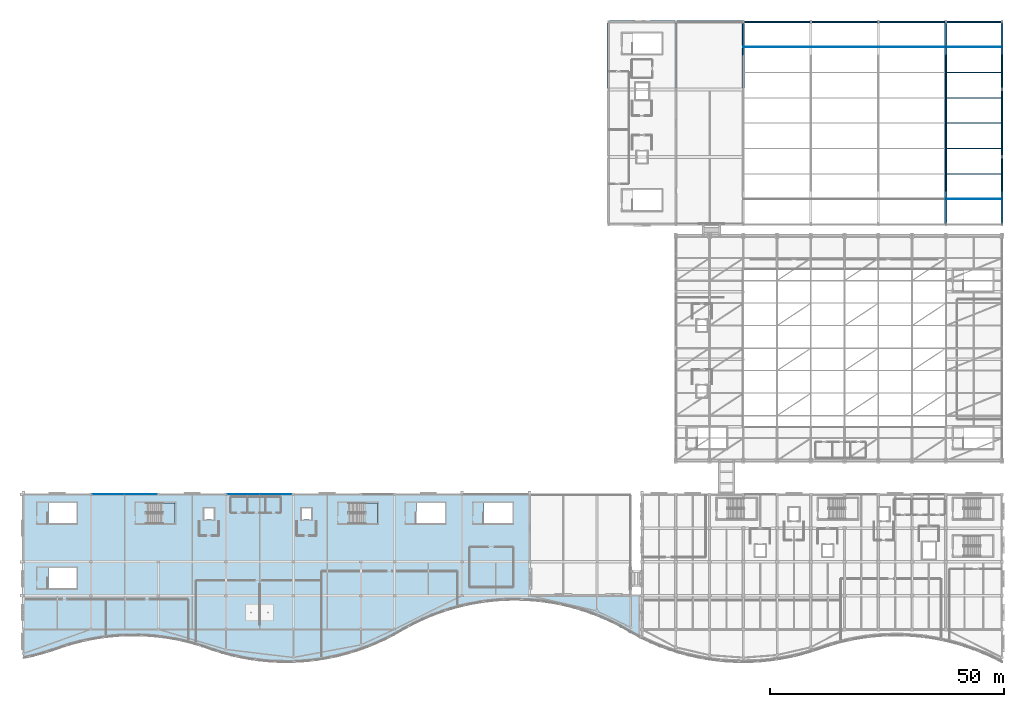
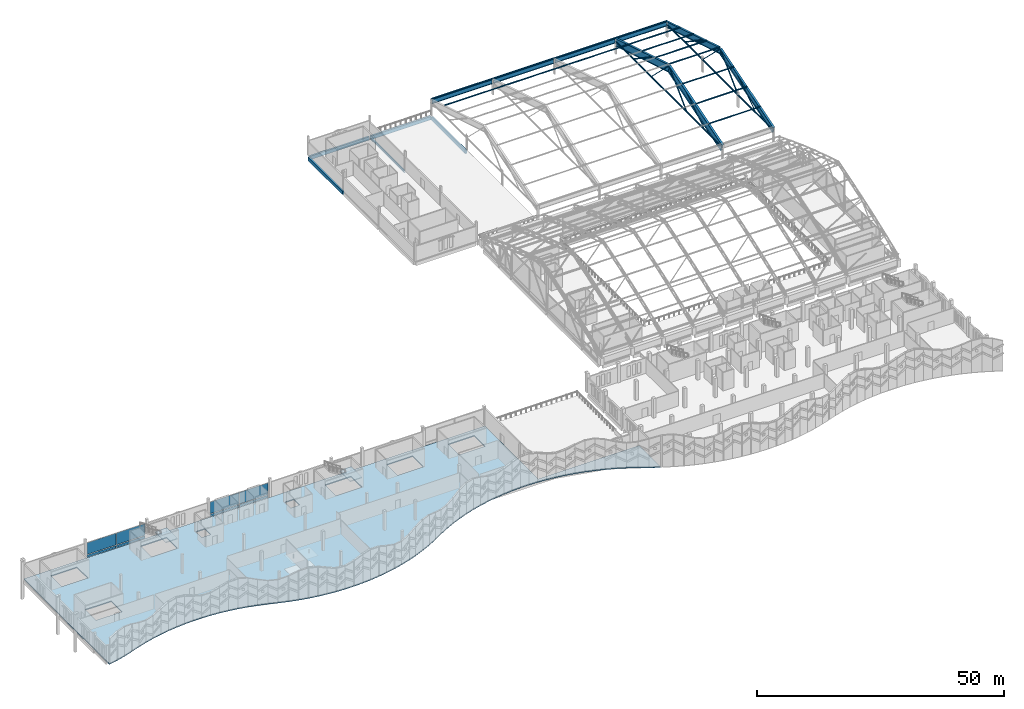
# One storey, part 62 of 116: 24 members, 13 beams, 8 plates, 3 slabs, 4 elements without a shape of their own.
"""IFC4 building model written with IfcOpenShell, lengths in metres."""

from ifc_helpers import new_model, si_unit, direction, frame, origin, origin_2d, place, context, subcontext, project, spatial, polyline, rectangle, hollow_circle, i_section, outline, extrude, material, layer, layer_set, material_profile, profile_set, type_object, element, aggregate, save


model = new_model("IFC4")

# Units and contexts
model_context = context("Model", 3, precision=1e-05, world=origin(), true_north=direction((0.0, 1.0)))
body_context = subcontext(model_context, "Body", "Model", "MODEL_VIEW")
ifc_project = project(units=[si_unit("LENGTHUNIT", "METRE"), si_unit("AREAUNIT", "SQUARE_METRE"), si_unit("VOLUMEUNIT", "CUBIC_METRE"), si_unit("PLANEANGLEUNIT", "RADIAN"), si_unit("MASSUNIT", "GRAM", prefix="KILO")], contexts=[model_context])

# Site, building, storey
site_placement = place(None, origin())
site = spatial("IfcSite", under=ifc_project, at=site_placement, CompositionType="ELEMENT")
building_placement = place(site_placement, origin())
building = spatial("IfcBuilding", under=site, at=building_placement, Name="Cendralis Lancet Convention Centre", CompositionType="ELEMENT")
storey_placement = place(building_placement, frame((0.0, 0.0, 15.0)))
storey = spatial("IfcBuildingStorey", under=building, at=storey_placement, Name="L03", CompositionType="ELEMENT", Elevation=15.0)

# Beams
ifc_material_1 = material(Name="Steel S355", Category="steel")
ifc_material_profile_1 = material_profile(ifc_material_1, i_section(OverallWidth=0.5, OverallDepth=1.800048828125, WebThickness=0.02197265625, FlangeThickness=0.035888671875, at=origin_2d()), Name="PG 1800x500")
ifc_profile_set_1 = profile_set([ifc_material_profile_1], Name="Steel S355")
beam_type_1 = type_object("IfcBeamType", Name="STR-BM-SG01", PredefinedType="BEAM", material=ifc_profile_set_1)
beam_1_placement = place(storey_placement, frame((196.800048828125, 93.60009765625, 2.89990234375), z_axis=(0.0, 0.956349808863, 0.2922243027), x_axis=(-1.0, 0.0, 0.0)))
element("IfcBeam", 1, at=beam_1_placement, inside=storey, type_object=beam_type_1, Name="Grand Ballroom Roof Girder SG01 S-04", PredefinedType="BEAM", context=body_context, shape_type="SweptSolid", body=[
    extrude(i_section(OverallWidth=0.5, OverallDepth=1.800048828125, WebThickness=0.02197265625, FlangeThickness=0.035888671875, at=origin_2d()), origin(), (0.0, 0.0, 1.0), 22.585693359375),
])
beam_2_placement = place(storey_placement, frame((196.800048828125, 115.199951171875, 9.5), z_axis=(0.0, 0.956350731927, -0.292221281811), x_axis=(-1.0, 0.0, 0.0)))
element("IfcBeam", 2, at=beam_2_placement, inside=storey, type_object=beam_type_1, Name="Grand Ballroom Roof Girder SG01 N-04", PredefinedType="BEAM", context=body_context, shape_type="SweptSolid", body=[
    extrude(i_section(OverallWidth=0.5, OverallDepth=1.800048828125, WebThickness=0.02197265625, FlangeThickness=0.035888671875, at=origin_2d()), origin(), (0.0, 0.0, 1.0), 22.5859375),
])
ifc_material_profile_2 = material_profile(ifc_material_1, i_section(OverallWidth=0.449951171875, OverallDepth=1.5, WebThickness=0.02001953125, FlangeThickness=0.035888671875, at=origin_2d()), Name="PG 1500x450")
ifc_profile_set_2 = profile_set([ifc_material_profile_2], Name="Steel S355")
beam_type_2 = type_object("IfcBeamType", Name="STR-BM-SG02", PredefinedType="BEAM", material=ifc_profile_set_2)
beam_3_placement = place(storey_placement, frame((208.800048828125, 93.60009765625, 3.050048828125), z_axis=(0.0, 0.95635282974, 0.292214416222), x_axis=(-1.0, 0.0, 0.0)))
element("IfcBeam", 3, at=beam_3_placement, inside=storey, type_object=beam_type_2, Name="Grand Ballroom Roof Girder SG02 S-05", PredefinedType="BEAM", context=body_context, shape_type="SweptSolid", body=[
    extrude(i_section(OverallWidth=0.449951171875, OverallDepth=1.5, WebThickness=0.02001953125, FlangeThickness=0.035888671875, at=origin_2d()), origin(), (0.0, 0.0, 1.0), 22.585693359375),
])
beam_4_placement = place(storey_placement, frame((208.800048828125, 115.199951171875, 9.64990234375), z_axis=(0.0, 0.956353752745, -0.292211395415), x_axis=(-1.0, 0.0, 0.0)))
element("IfcBeam", 4, at=beam_4_placement, inside=storey, type_object=beam_type_2, Name="Grand Ballroom Roof Girder SG02 N-05", PredefinedType="BEAM", context=body_context, shape_type="SweptSolid", body=[
    extrude(i_section(OverallWidth=0.449951171875, OverallDepth=1.5, WebThickness=0.02001953125, FlangeThickness=0.035888671875, at=origin_2d()), origin(), (0.0, 0.0, 1.0), 22.5859375),
])
ifc_material_profile_3 = material_profile(ifc_material_1, i_section(OverallWidth=0.3798828125, OverallDepth=1.10009765625, WebThickness=0.01611328125, FlangeThickness=0.030029296875, at=origin_2d()), Name="PG 1100x380")
ifc_profile_set_3 = profile_set([ifc_material_profile_3], Name="Steel S355")
beam_type_3 = type_object("IfcBeamType", Name="STR-BM-SG04", PredefinedType="BEAM", material=ifc_profile_set_3)
for number, where, z_axis, x_axis, name in (
    (5, (153.75, 136.800048828125, 3.25), (1.0, 0.0, 0.0), (0.0, 1.0, 0.0), "L03 Beam SG04 #1788"),
    (6, (168.14990234375, 136.800048828125, 3.25), (1.0, 0.0, 0.0), (0.0, 1.0, 0.0), "L03 Beam SG04 #1789"),
):
    element("IfcBeam", number, at=place(storey_placement, frame(where, z_axis=z_axis, x_axis=x_axis)), inside=storey, type_object=beam_type_3, Name=name, PredefinedType="BEAM", context=body_context, shape_type="SweptSolid", body=[
        extrude(i_section(OverallWidth=0.3798828125, OverallDepth=1.10009765625, WebThickness=0.01611328125, FlangeThickness=0.030029296875, at=origin_2d()), origin(), (0.0, 0.0, 1.0), 14.10009765625),
    ])
beam_5_placement = place(storey_placement, frame((182.550048828125, 136.800048828125, 3.25), z_axis=(1.0, 0.0, 0.0), x_axis=(0.0, 1.0, 0.0)))
element("IfcBeam", 7, at=beam_5_placement, inside=storey, type_object=beam_type_3, Name="L03 Beam SG04 #1790", PredefinedType="BEAM", context=body_context, shape_type="SweptSolid", body=[
    extrude(i_section(OverallWidth=0.3798828125, OverallDepth=1.10009765625, WebThickness=0.01611328125, FlangeThickness=0.030029296875, at=origin_2d()), origin(), (0.0, 0.0, 1.0), 14.099853515625),
])
beam_6_placement = place(storey_placement, frame((196.949951171875, 136.800048828125, 3.25), z_axis=(1.0, 0.0, 0.0), x_axis=(0.0, 1.0, 0.0)))
element("IfcBeam", 8, at=beam_6_placement, inside=storey, type_object=beam_type_3, Name="L03 Beam SG04 #1791", PredefinedType="BEAM", context=body_context, shape_type="SweptSolid", body=[
    extrude(i_section(OverallWidth=0.3798828125, OverallDepth=1.10009765625, WebThickness=0.01611328125, FlangeThickness=0.030029296875, at=origin_2d()), origin(), (0.0, 0.0, 1.0), 11.699951171875),
])
ifc_material_profile_4 = material_profile(ifc_material_1, i_section(OverallWidth=0.300048828125, OverallDepth=0.489990234375, WebThickness=0.011962890625, FlangeThickness=0.02294921875, FilletRadius=0.027099609375, at=origin_2d()), Name="HEA 500")
ifc_profile_set_4 = profile_set([ifc_material_profile_4], Name="Steel S355")
beam_type_4 = type_object("IfcBeamType", Name="STR-BM-SG12", PredefinedType="BEAM", material=ifc_profile_set_4)
beam_7_placement = place(storey_placement, frame((139.199951171875, 122.64990234375, -0.5048828125), z_axis=(0.0, 1.0, 0.0), x_axis=(-1.0, 0.0, 0.0)))
element("IfcBeam", 9, at=beam_7_placement, inside=storey, type_object=beam_type_4, Name="L03 Beam SG12 #1768", PredefinedType="BEAM", context=body_context, shape_type="SweptSolid", body=[
    extrude(i_section(OverallWidth=0.300048828125, OverallDepth=0.489990234375, WebThickness=0.011962890625, FlangeThickness=0.02294921875, FilletRadius=0.027099609375, at=origin_2d()), origin(), (0.0, 0.0, 1.0), 13.900146484375),
])

# Members
ifc_material_profile_5 = material_profile(ifc_material_1, i_section(OverallWidth=0.110107421875, OverallDepth=0.219970703125, WebThickness=0.005859375, FlangeThickness=0.00927734375, FilletRadius=0.011962890625, at=origin_2d()), Name="IPE 220")
ifc_profile_set_5 = profile_set([ifc_material_profile_5], Name="Steel S355")
member_type_1 = type_object("IfcMemberType", Name="STR-PR-PR03", PredefinedType="PURLIN", material=ifc_profile_set_5)
for number, where, z_axis, x_axis, name in (
    (10, (196.800048828125, 104.39990234375, 7.199951171875), (1.0, 0.0, 0.0), (0.0, 1.0, 0.0), "Ballroom Roof Purlin PR03 197-104.4"),
    (11, (196.800048828125, 109.800048828125, 8.85009765625), (1.0, 0.0, 0.0), (0.0, 1.0, 0.0), "Ballroom Roof Purlin PR03 197-109.8"),
    (12, (196.800048828125, 120.60009765625, 8.85009765625), (1.0, 0.0, 0.0), (0.0, 1.0, 0.0), "Ballroom Roof Purlin PR03 197-120.6"),
    (13, (196.800048828125, 126.0, 7.199951171875), (1.0, 0.0, 0.0), (0.0, 1.0, 0.0), "Ballroom Roof Purlin PR03 197-126.0"),
):
    element("IfcMember", number, at=place(storey_placement, frame(where, z_axis=z_axis, x_axis=x_axis)), inside=storey, type_object=member_type_1, Name=name, PredefinedType="PURLIN", context=body_context, shape_type="SweptSolid", body=[
        extrude(i_section(OverallWidth=0.110107421875, OverallDepth=0.219970703125, WebThickness=0.005859375, FlangeThickness=0.00927734375, FilletRadius=0.011962890625, at=origin_2d()), origin(), (0.0, 0.0, 1.0), 12.0),
    ])
ifc_material_profile_6 = material_profile(ifc_material_1, i_section(OverallWidth=0.10009765625, OverallDepth=0.199951171875, WebThickness=0.005615234375, FlangeThickness=0.008544921875, FilletRadius=0.011962890625, at=origin_2d()), Name="IPE 200")
ifc_profile_set_6 = profile_set([ifc_material_profile_6], Name="Steel S355")
member_type_2 = type_object("IfcMemberType", Name="STR-PR-PR05", PredefinedType="PURLIN", material=ifc_profile_set_6)
for number, where, z_axis, x_axis, name in (
    (14, (153.60009765625, 131.39990234375, 5.56005859375), (1.0, 0.0, 0.0), (0.0, 1.0, 0.0), "Ballroom Roof Purlin PR05 154-131.4"),
    (15, (168.0, 131.39990234375, 5.56005859375), (1.0, 0.0, 0.0), (0.0, 1.0, 0.0), "Ballroom Roof Purlin PR05 168-131.4"),
):
    element("IfcMember", number, at=place(storey_placement, frame(where, z_axis=z_axis, x_axis=x_axis)), inside=storey, type_object=member_type_2, Name=name, PredefinedType="PURLIN", context=body_context, shape_type="SweptSolid", body=[
        extrude(i_section(OverallWidth=0.10009765625, OverallDepth=0.199951171875, WebThickness=0.005615234375, FlangeThickness=0.008544921875, FilletRadius=0.011962890625, at=origin_2d()), origin(), (0.0, 0.0, 1.0), 14.39990234375),
    ])
member_1_placement = place(storey_placement, frame((182.39990234375, 131.39990234375, 5.56005859375), z_axis=(1.0, 0.0, 0.0), x_axis=(0.0, 1.0, 0.0)))
element("IfcMember", 16, at=member_1_placement, inside=storey, type_object=member_type_2, Name="Ballroom Roof Purlin PR05 182-131.4", PredefinedType="PURLIN", context=body_context, shape_type="SweptSolid", body=[
    extrude(i_section(OverallWidth=0.10009765625, OverallDepth=0.199951171875, WebThickness=0.005615234375, FlangeThickness=0.008544921875, FilletRadius=0.011962890625, at=origin_2d()), origin(), (0.0, 0.0, 1.0), 14.400146484375),
])
for number, where, z_axis, x_axis, name in (
    (17, (196.800048828125, 99.0, 5.56005859375), (1.0, 0.0, 0.0), (0.0, 1.0, 0.0), "Ballroom Roof Purlin PR05 197-99.0"),
    (18, (196.800048828125, 131.39990234375, 5.56005859375), (1.0, 0.0, 0.0), (0.0, 1.0, 0.0), "Ballroom Roof Purlin PR05 197-131.4"),
):
    element("IfcMember", number, at=place(storey_placement, frame(where, z_axis=z_axis, x_axis=x_axis)), inside=storey, type_object=member_type_2, Name=name, PredefinedType="PURLIN", context=body_context, shape_type="SweptSolid", body=[
        extrude(i_section(OverallWidth=0.10009765625, OverallDepth=0.199951171875, WebThickness=0.005615234375, FlangeThickness=0.008544921875, FilletRadius=0.011962890625, at=origin_2d()), origin(), (0.0, 0.0, 1.0), 12.0),
    ])
ifc_material_profile_7 = material_profile(ifc_material_1, i_section(OverallWidth=0.239990234375, OverallDepth=0.22998046875, WebThickness=0.007568359375, FlangeThickness=0.011962890625, FilletRadius=0.02099609375, at=origin_2d()), Name="HEA 240")
ifc_profile_set_7 = profile_set([ifc_material_profile_7], Name="Steel S355")
member_type_3 = type_object("IfcMemberType", Name="STR-PR-PR08", PredefinedType="PURLIN", material=ifc_profile_set_7)
for number, where, z_axis, x_axis, name in (
    (19, (153.60009765625, 136.800048828125, 3.89501953125), (1.0, 0.0, 0.0), (0.0, 1.0, 0.0), "Ballroom Roof Purlin PR08 154-136.8"),
    (20, (168.0, 136.800048828125, 3.89501953125), (1.0, 0.0, 0.0), (0.0, 1.0, 0.0), "Ballroom Roof Purlin PR08 168-136.8"),
):
    element("IfcMember", number, at=place(storey_placement, frame(where, z_axis=z_axis, x_axis=x_axis)), inside=storey, type_object=member_type_3, Name=name, PredefinedType="PURLIN", context=body_context, shape_type="SweptSolid", body=[
        extrude(i_section(OverallWidth=0.239990234375, OverallDepth=0.22998046875, WebThickness=0.007568359375, FlangeThickness=0.011962890625, FilletRadius=0.02099609375, at=origin_2d()), origin(), (0.0, 0.0, 1.0), 14.39990234375),
    ])
member_2_placement = place(storey_placement, frame((182.39990234375, 136.800048828125, 3.89501953125), z_axis=(1.0, 0.0, 0.0), x_axis=(0.0, 1.0, 0.0)))
element("IfcMember", 21, at=member_2_placement, inside=storey, type_object=member_type_3, Name="Ballroom Roof Purlin PR08 182-136.8", PredefinedType="PURLIN", context=body_context, shape_type="SweptSolid", body=[
    extrude(i_section(OverallWidth=0.239990234375, OverallDepth=0.22998046875, WebThickness=0.007568359375, FlangeThickness=0.011962890625, FilletRadius=0.02099609375, at=origin_2d()), origin(), (0.0, 0.0, 1.0), 14.400146484375),
])
for number, where, z_axis, x_axis, name in (
    (22, (196.800048828125, 115.199951171875, 10.4951171875), (1.0, 0.0, 0.0), (0.0, 1.0, 0.0), "Ballroom Roof Purlin PR08 197-115.2"),
    (23, (196.800048828125, 136.800048828125, 3.89501953125), (1.0, 0.0, 0.0), (0.0, 1.0, 0.0), "Ballroom Roof Purlin PR08 197-136.8"),
):
    element("IfcMember", number, at=place(storey_placement, frame(where, z_axis=z_axis, x_axis=x_axis)), inside=storey, type_object=member_type_3, Name=name, PredefinedType="PURLIN", context=body_context, shape_type="SweptSolid", body=[
        extrude(i_section(OverallWidth=0.239990234375, OverallDepth=0.22998046875, WebThickness=0.007568359375, FlangeThickness=0.011962890625, FilletRadius=0.02099609375, at=origin_2d()), origin(), (0.0, 0.0, 1.0), 12.0),
    ])

# Beams
ifc_material_2 = material(Name="Concrete G40 (C40/50)", Category="concrete")
ifc_material_profile_8 = material_profile(ifc_material_2, rectangle(XDim=0.39990234375, YDim=0.85009765625, at=origin_2d()), Name="RCB 400x850")
ifc_profile_set_8 = profile_set([ifc_material_profile_8], Name="Concrete G40 (C40/50)")
beam_type_5 = type_object("IfcBeamType", Name="STR-SP-SP02", PredefinedType="SPANDREL", material=ifc_profile_set_8)
beam_8_placement = place(storey_placement, frame((124.949951171875, 136.800048828125, -0.68505859375), z_axis=(1.0, 0.0, 0.0), x_axis=(0.0, 1.0, 0.0)))
element("IfcBeam", 24, at=beam_8_placement, inside=storey, type_object=beam_type_5, Name="L03 Beam SP02 #1761", PredefinedType="SPANDREL", context=body_context, shape_type="SweptSolid", body=[
    extrude(rectangle(XDim=0.39990234375, YDim=0.85009765625, at=origin_2d()), origin(), (0.0, 0.0, 1.0), 14.10009765625),
])
beam_9_placement = place(storey_placement, frame((139.35009765625, 136.800048828125, -0.68505859375), z_axis=(1.0, 0.0, 0.0), x_axis=(0.0, 1.0, 0.0)))
element("IfcBeam", 25, at=beam_9_placement, inside=storey, type_object=beam_type_5, Name="L03 Beam SP02 #1762", PredefinedType="SPANDREL", context=body_context, shape_type="SweptSolid", body=[
    extrude(rectangle(XDim=0.39990234375, YDim=0.85009765625, at=origin_2d()), origin(), (0.0, 0.0, 1.0), 14.099853515625),
])
beam_10_placement = place(storey_placement, frame((124.800048828125, 122.64990234375, -0.68505859375), z_axis=(0.0, 1.0, 0.0), x_axis=(-1.0, 0.0, 0.0)))
element("IfcBeam", 26, at=beam_10_placement, inside=storey, type_object=beam_type_5, Name="L03 Beam SP02 #1765", PredefinedType="SPANDREL", context=body_context, shape_type="SweptSolid", body=[
    extrude(rectangle(XDim=0.39990234375, YDim=0.85009765625, at=origin_2d()), origin(), (0.0, 0.0, 1.0), 13.900146484375),
])
beam_11_placement = place(storey_placement, frame((153.60009765625, 122.72509765625, -0.68505859375), z_axis=(0.0, 1.0, 0.0), x_axis=(-1.0, 0.0, 0.0)))
element("IfcBeam", 27, at=beam_11_placement, inside=storey, type_object=beam_type_5, Name="L03 Beam SP02 #1771", PredefinedType="SPANDREL", context=body_context, shape_type="SweptSolid", body=[
    extrude(rectangle(XDim=0.39990234375, YDim=0.85009765625, at=origin_2d()), origin(), (0.0, 0.0, 1.0), 13.75),
])

# Members
ifc_material_profile_9 = material_profile(ifc_material_1, hollow_circle(Radius=0.177734375, WallThickness=0.01611328125, at=origin_2d()), Name="CHS 355.6x16.0")
ifc_profile_set_9 = profile_set([ifc_material_profile_9], Name="Steel S355")
member_type_4 = type_object("IfcMemberType", Name="STR-TR-TC02", PredefinedType="CHORD", material=ifc_profile_set_9)
member_3_placement = place(storey_placement, frame((208.800048828125, 93.60009765625, 3.0), z_axis=(0.0, 1.0, 0.0), x_axis=(-1.0, 0.0, 0.0)))
element("IfcMember", 28, at=member_3_placement, inside=storey, type_object=member_type_4, Name="Ballroom Roof Tie Chord TC02 #05", PredefinedType="CHORD", context=body_context, shape_type="SweptSolid", body=[
    extrude(hollow_circle(Radius=0.177734375, WallThickness=0.01611328125, at=origin_2d()), origin(), (0.0, 0.0, 1.0), 43.199951171875),
])
ifc_material_profile_10 = material_profile(ifc_material_1, hollow_circle(Radius=0.177734375, WallThickness=0.01611328125, at=origin_2d()), Name="CHS 355.6x16.0")
ifc_profile_set_10 = profile_set([ifc_material_profile_10], Name="Steel S355")
member_type_5 = type_object("IfcMemberType", Name="STR-TR-TC02-INT", PredefinedType="CHORD", material=ifc_profile_set_10)
member_4_placement = place(storey_placement, frame((196.800048828125, 93.60009765625, 3.0), z_axis=(0.0, 1.0, 0.0), x_axis=(-1.0, 0.0, 0.0)))
element("IfcMember", 29, at=member_4_placement, inside=storey, type_object=member_type_5, Name="Ballroom Roof Tie Chord TC02 #04", PredefinedType="CHORD", context=body_context, shape_type="SweptSolid", body=[
    extrude(hollow_circle(Radius=0.177734375, WallThickness=0.01611328125, at=origin_2d()), origin(), (0.0, 0.0, 1.0), 43.199951171875),
])
ifc_material_profile_11 = material_profile(ifc_material_1, hollow_circle(Radius=0.096923828125, WallThickness=0.008056640625, at=origin_2d()), Name="CHS 193.7x8.0")
ifc_profile_set_11 = profile_set([ifc_material_profile_11], Name="Steel S355")
member_type_6 = type_object("IfcMemberType", Name="STR-TR-WD02", PredefinedType="BRACE", material=ifc_profile_set_11)
for number, where, z_axis, x_axis, name in (
    (30, (208.800048828125, 108.0, 3.0), (0.0, 0.71450563243, 0.69962968864), (-1.0, 0.0, 0.0), "Ballroom Gothic Arch Brace WD02 KL-05"),
    (31, (208.800048828125, 122.39990234375, 3.0), (0.0, -0.71450563243, 0.69962968864), (1.0, 0.0, 0.0), "Ballroom Gothic Arch Brace WD02 KR-05"),
):
    element("IfcMember", number, at=place(storey_placement, frame(where, z_axis=z_axis, x_axis=x_axis)), inside=storey, type_object=member_type_6, Name=name, PredefinedType="BRACE", context=body_context, shape_type="SweptSolid", body=[
        extrude(hollow_circle(Radius=0.096923828125, WallThickness=0.008056640625, at=origin_2d()), origin(), (0.0, 0.0, 1.0), 10.076904296875),
    ])
member_5_placement = place(storey_placement, frame((208.800048828125, 100.800048828125, 3.0), z_axis=(0.0, 0.829375494682, 0.558691586496), x_axis=(-1.0, 0.0, 0.0)))
element("IfcMember", 32, at=member_5_placement, inside=storey, type_object=member_type_6, Name="Ballroom Gothic Arch Brace WD02 OL-05", PredefinedType="BRACE", context=body_context, shape_type="SweptSolid", body=[
    extrude(hollow_circle(Radius=0.096923828125, WallThickness=0.008056640625, at=origin_2d()), origin(), (0.0, 0.0, 1.0), 8.68115234375),
])
member_6_placement = place(storey_placement, frame((208.800048828125, 129.60009765625, 3.0), z_axis=(0.0, -0.829384272585, 0.558678555512), x_axis=(1.0, 0.0, 0.0)))
element("IfcMember", 33, at=member_6_placement, inside=storey, type_object=member_type_6, Name="Ballroom Gothic Arch Brace WD02 OR-05", PredefinedType="BRACE", context=body_context, shape_type="SweptSolid", body=[
    extrude(hollow_circle(Radius=0.096923828125, WallThickness=0.008056640625, at=origin_2d()), origin(), (0.0, 0.0, 1.0), 8.681396484375),
])
ifc_material_profile_12 = material_profile(ifc_material_1, hollow_circle(Radius=0.096923828125, WallThickness=0.008056640625, at=origin_2d()), Name="CHS 193.7x8.0")
ifc_profile_set_12 = profile_set([ifc_material_profile_12], Name="Steel S355")
member_type_7 = type_object("IfcMemberType", Name="STR-TR-WD02-INT", PredefinedType="BRACE", material=ifc_profile_set_12)
for number, where, z_axis, x_axis, name in (
    (34, (196.800048828125, 108.0, 3.0), (0.0, 0.71450563243, 0.69962968864), (-1.0, 0.0, 0.0), "Ballroom Gothic Arch Brace WD02 KL-04"),
    (35, (196.800048828125, 122.39990234375, 3.0), (0.0, -0.71450563243, 0.69962968864), (1.0, 0.0, 0.0), "Ballroom Gothic Arch Brace WD02 KR-04"),
):
    element("IfcMember", number, at=place(storey_placement, frame(where, z_axis=z_axis, x_axis=x_axis)), inside=storey, type_object=member_type_7, Name=name, PredefinedType="BRACE", context=body_context, shape_type="SweptSolid", body=[
        extrude(hollow_circle(Radius=0.096923828125, WallThickness=0.008056640625, at=origin_2d()), origin(), (0.0, 0.0, 1.0), 10.076904296875),
    ])
member_7_placement = place(storey_placement, frame((196.800048828125, 100.800048828125, 3.0), z_axis=(0.0, 0.829375494682, 0.558691586496), x_axis=(-1.0, 0.0, 0.0)))
element("IfcMember", 36, at=member_7_placement, inside=storey, type_object=member_type_7, Name="Ballroom Gothic Arch Brace WD02 OL-04", PredefinedType="BRACE", context=body_context, shape_type="SweptSolid", body=[
    extrude(hollow_circle(Radius=0.096923828125, WallThickness=0.008056640625, at=origin_2d()), origin(), (0.0, 0.0, 1.0), 8.68115234375),
])
member_8_placement = place(storey_placement, frame((196.800048828125, 129.60009765625, 3.0), z_axis=(0.0, -0.829384272585, 0.558678555512), x_axis=(1.0, 0.0, 0.0)))
element("IfcMember", 37, at=member_8_placement, inside=storey, type_object=member_type_7, Name="Ballroom Gothic Arch Brace WD02 OR-04", PredefinedType="BRACE", context=body_context, shape_type="SweptSolid", body=[
    extrude(hollow_circle(Radius=0.096923828125, WallThickness=0.008056640625, at=origin_2d()), origin(), (0.0, 0.0, 1.0), 8.681396484375),
])

# Curtain wall, plates
ifc_material_3 = material(Name="Anodised bronze architectural aluminium", Category="aluminium")
curtain_wall_type = type_object("IfcCurtainWallType", Name="ARC-CW-CL02", PredefinedType="USERDEFINED", material=ifc_material_3)
curtain_wall_1_placement = place(storey_placement, origin())
curtain_wall_1 = element("IfcCurtainWall", 38, at=curtain_wall_1_placement, inside=storey, type_object=curtain_wall_type, Name="L03 Curtain Wall CW-CL2 #175", ObjectType="CURTAIN WALL", PredefinedType="USERDEFINED")
ifc_material_4 = material(Name="Double-glazed low-E solar-control glass", Category="glass")
ifc_layer_1 = layer(ifc_material_4, 0.035888671875, Name="Double-glazed low-E solar-control glass")
ifc_layer_set_1 = layer_set([ifc_layer_1], Name="Double-glazed low-E solar-control glass")
plate_type_1 = type_object("IfcPlateType", Name="ARC-PL-GL03", PredefinedType="CURTAIN_PANEL", material=ifc_layer_set_1)
plate_1_placement = place(storey_placement, frame((18.16259765625, 36.0, 0.820068359375), z_axis=(0.0, 0.0, 1.0), x_axis=(1.0, 0.0, 0.0)))
plate_1 = element("IfcPlate", 39, at=plate_1_placement, type_object=plate_type_1, Name="Vision Glass Panel CW2-CW-CL2-L03-175-PG0", PredefinedType="CURTAIN_PANEL", context=body_context, shape_type="SweptSolid", body=[
    extrude(rectangle(XDim=6.735107421875, YDim=0.035888671875, at=origin_2d()), origin(), (0.0, 0.0, 1.0), 2.89501953125),
])
plate_2_placement = place(storey_placement, frame((25.03759765625, 36.0, 0.820068359375), z_axis=(0.0, 0.0, 1.0), x_axis=(1.0, 0.0, 0.0)))
plate_2 = element("IfcPlate", 40, at=plate_2_placement, type_object=plate_type_1, Name="Vision Glass Panel CW2-CW-CL2-L03-175-PG1", PredefinedType="CURTAIN_PANEL", context=body_context, shape_type="SweptSolid", body=[
    extrude(rectangle(XDim=6.735107421875, YDim=0.035888671875, at=origin_2d()), origin(), (0.0, 0.0, 1.0), 2.89501953125),
])

curtain_wall_2_placement = place(storey_placement, origin())
curtain_wall_2 = element("IfcCurtainWall", 41, at=curtain_wall_2_placement, inside=storey, type_object=curtain_wall_type, Name="L03 Curtain Wall CW-CL2 #176", ObjectType="CURTAIN WALL", PredefinedType="USERDEFINED")
plate_3_placement = place(storey_placement, frame((46.96240234375, 36.0, 0.820068359375), z_axis=(0.0, 0.0, 1.0), x_axis=(1.0, 0.0, 0.0)))
plate_3 = element("IfcPlate", 42, at=plate_3_placement, type_object=plate_type_1, Name="Vision Glass Panel CW2-CW-CL2-L03-176-PG0", PredefinedType="CURTAIN_PANEL", context=body_context, shape_type="SweptSolid", body=[
    extrude(rectangle(XDim=6.735107421875, YDim=0.035888671875, at=origin_2d()), origin(), (0.0, 0.0, 1.0), 2.89501953125),
])
plate_4_placement = place(storey_placement, frame((53.83740234375, 36.0, 0.820068359375), z_axis=(0.0, 0.0, 1.0), x_axis=(1.0, 0.0, 0.0)))
plate_4 = element("IfcPlate", 43, at=plate_4_placement, type_object=plate_type_1, Name="Vision Glass Panel CW2-CW-CL2-L03-176-PG1", PredefinedType="CURTAIN_PANEL", context=body_context, shape_type="SweptSolid", body=[
    extrude(rectangle(XDim=6.735107421875, YDim=0.035888671875, at=origin_2d()), origin(), (0.0, 0.0, 1.0), 2.89501953125),
])

# Plate
ifc_material_5 = material(Name="Insulated ceramic-fritted spandrel glass", Category="glass")
ifc_layer_2 = layer(ifc_material_5, 0.044921875, Name="Insulated ceramic-fritted spandrel glass")
ifc_layer_set_2 = layer_set([ifc_layer_2], Name="Insulated ceramic-fritted spandrel glass")
plate_type_2 = type_object("IfcPlateType", Name="ARC-PL-SP01", PredefinedType="CURTAIN_PANEL", material=ifc_layer_set_2)
plate_5_placement = place(storey_placement, frame((18.16259765625, 36.0, 0.06982421875), z_axis=(0.0, 0.0, 1.0), x_axis=(1.0, 0.0, 0.0)))
plate_5 = element("IfcPlate", 44, at=plate_5_placement, type_object=plate_type_2, Name="Spandrel Panel CW2-CW-CL2-L03-175-PS0", PredefinedType="CURTAIN_PANEL", context=body_context, shape_type="SweptSolid", body=[
    extrude(rectangle(XDim=6.735107421875, YDim=0.044921875, at=origin_2d()), origin(), (0.0, 0.0, 1.0), 0.610107421875),
])

plate_6_placement = place(storey_placement, frame((25.03759765625, 36.0, 0.06982421875), z_axis=(0.0, 0.0, 1.0), x_axis=(1.0, 0.0, 0.0)))
plate_6 = element("IfcPlate", 45, at=plate_6_placement, type_object=plate_type_2, Name="Spandrel Panel CW2-CW-CL2-L03-175-PS1", PredefinedType="CURTAIN_PANEL", context=body_context, shape_type="SweptSolid", body=[
    extrude(rectangle(XDim=6.735107421875, YDim=0.044921875, at=origin_2d()), origin(), (0.0, 0.0, 1.0), 0.610107421875),
])

aggregate(curtain_wall_1, [plate_5, plate_1, plate_6, plate_2])

plate_7_placement = place(storey_placement, frame((46.96240234375, 36.0, 0.06982421875), z_axis=(0.0, 0.0, 1.0), x_axis=(1.0, 0.0, 0.0)))
plate_7 = element("IfcPlate", 46, at=plate_7_placement, type_object=plate_type_2, Name="Spandrel Panel CW2-CW-CL2-L03-176-PS0", PredefinedType="CURTAIN_PANEL", context=body_context, shape_type="SweptSolid", body=[
    extrude(rectangle(XDim=6.735107421875, YDim=0.044921875, at=origin_2d()), origin(), (0.0, 0.0, 1.0), 0.610107421875),
])

plate_8_placement = place(storey_placement, frame((53.83740234375, 36.0, 0.06982421875), z_axis=(0.0, 0.0, 1.0), x_axis=(1.0, 0.0, 0.0)))
plate_8 = element("IfcPlate", 47, at=plate_8_placement, type_object=plate_type_2, Name="Spandrel Panel CW2-CW-CL2-L03-176-PS1", PredefinedType="CURTAIN_PANEL", context=body_context, shape_type="SweptSolid", body=[
    extrude(rectangle(XDim=6.735107421875, YDim=0.044921875, at=origin_2d()), origin(), (0.0, 0.0, 1.0), 0.610107421875),
])

aggregate(curtain_wall_2, [plate_7, plate_3, plate_8, plate_4])

# Slab
ifc_material_6 = material(Name="Concrete G35 (C35/45)", Category="concrete")
ifc_layer_3 = layer(ifc_material_6, 0.25, Name="Concrete G35 (C35/45)")
ifc_layer_set_3 = layer_set([ifc_layer_3], Name="Concrete G35 (C35/45)")
slab_type_1 = type_object("IfcSlabType", Name="STR-SL-FS25", PredefinedType="FLOOR", material=ifc_layer_set_3)
slab_1_placement = place(storey_placement, frame((0.0, 0.0, -0.25)))
element("IfcSlab", 48, at=slab_1_placement, inside=storey, type_object=slab_type_1, Name="L03 V4 Floor Slab FS-250", PredefinedType="FLOOR", context=body_context, shape_type="SweptSolid", body=[
    extrude(outline(polyline([(0.0, 1.324951171875), (2.02490234375, 1.762939453125), (4.050048828125, 2.2939453125), (6.075927734375, 2.9208984375), (8.10107421875, 3.6259765625), (10.1259765625, 4.260009765625), (12.15087890625, 4.798095703125), (14.177001953125, 5.242919921875), (16.201904296875, 5.597900390625), (18.22705078125, 5.864013671875), (20.251953125, 6.04296875), (22.278076171875, 6.135009765625), (24.302978515625, 6.14306640625), (26.327880859375, 6.06396484375), (28.35302734375, 5.89990234375), (30.3779296875, 5.64892578125), (32.404052734375, 5.31005859375), (34.428955078125, 4.8798828125), (36.4541015625, 4.35791015625), (38.47900390625, 3.739990234375), (40.5048828125, 3.035888671875), (42.530029296875, 2.39306640625), (44.554931640625, 1.845947265625), (46.580078125, 1.39306640625), (48.60595703125, 1.030029296875), (50.631103515625, 0.757080078125), (52.656005859375, 0.570068359375), (54.680908203125, 0.468994140625), (56.7060546875, 0.455078125), (58.73193359375, 0.52490234375), (60.757080078125, 0.680908203125), (62.781982421875, 0.925048828125), (64.806884765625, 1.256103515625), (66.8330078125, 1.677001953125), (68.85791015625, 2.19091796875), (70.883056640625, 2.800048828125), (72.907958984375, 3.508056640625), (74.93408203125, 4.321044921875), (76.958984375, 5.243896484375), (78.98388671875, 6.283935546875), (81.009033203125, 7.43896484375), (83.033935546875, 8.531005859375), (85.06005859375, 9.5029296875), (87.0849609375, 10.361083984375), (89.110107421875, 11.113037109375), (91.135009765625, 11.763916015625), (93.160888671875, 12.318115234375), (95.18603515625, 12.777099609375), (97.2109375, 13.14599609375), (99.236083984375, 13.426025390625), (101.261962890625, 13.618896484375), (103.287109375, 13.72607421875), (105.31201171875, 13.7470703125), (107.3369140625, 13.68310546875), (109.362060546875, 13.532958984375), (111.387939453125, 13.2958984375), (113.4130859375, 12.970947265625), (115.43798828125, 12.555908203125), (117.462890625, 12.050048828125), (119.489013671875, 11.447021484375), (121.513916015625, 10.74609375), (123.5390625, 9.94091796875), (125.56396484375, 9.027099609375), (127.590087890625, 7.9951171875), (129.614990234375, 6.843994140625), (131.639892578125, 5.742919921875), (131.639892578125, 14.39990234375), (108.0, 14.39990234375), (108.0, 36.0), (0.0, 36.0), (0.0, 1.324951171875)]), holes=[polyline([(26.31005859375, 29.800048828125), (32.39990234375, 29.800048828125), (32.39990234375, 34.179931640625), (26.31005859375, 34.179931640625), (26.31005859375, 29.800048828125)]), polyline([(69.510009765625, 29.800048828125), (75.60009765625, 29.800048828125), (75.60009765625, 34.179931640625), (69.510009765625, 34.179931640625), (69.510009765625, 29.800048828125)]), polyline([(5.31005859375, 15.949951171875), (11.39990234375, 15.949951171875), (11.39990234375, 20.330078125), (5.31005859375, 20.330078125), (5.31005859375, 15.949951171875)]), polyline([(98.31005859375, 29.800048828125), (104.39990234375, 29.800048828125), (104.39990234375, 34.179931640625), (98.31005859375, 34.179931640625), (98.31005859375, 29.800048828125)]), polyline([(5.31005859375, 29.800048828125), (11.39990234375, 29.800048828125), (11.39990234375, 34.179931640625), (5.31005859375, 34.179931640625), (5.31005859375, 29.800048828125)]), polyline([(83.909912109375, 29.800048828125), (90.0, 29.800048828125), (90.0, 34.179931640625), (83.909912109375, 34.179931640625), (83.909912109375, 29.800048828125)]), polyline([(38.550048828125, 30.60009765625), (40.64990234375, 30.60009765625), (40.64990234375, 33.0), (38.550048828125, 33.0), (38.550048828125, 30.60009765625)]), polyline([(59.35009765625, 30.60009765625), (61.449951171875, 30.60009765625), (61.449951171875, 33.0), (59.35009765625, 33.0), (59.35009765625, 30.60009765625)])]), origin(), (0.0, 0.0, 1.0), 0.25),
])

# Stair, slab
stair_type = type_object("IfcStairType", Name="ARC-ST-CORE", PredefinedType="HALF_TURN_STAIR", material=ifc_material_6)
stair_1_placement = place(storey_placement, origin())
stair_1 = element("IfcStair", 49, at=stair_1_placement, inside=storey, type_object=stair_type, Name="L03 Protected Exit Stair ST-11", PredefinedType="HALF_TURN_STAIR")
ifc_layer_4 = layer(ifc_material_6, 0.199951171875, Name="Concrete G35 (C35/45)")
ifc_layer_set_4 = layer_set([ifc_layer_4], Name="Concrete G35 (C35/45)")
slab_type_2 = type_object("IfcSlabType", Name="STR-SL-LAND", PredefinedType="LANDING", material=ifc_layer_set_4)
slab_2_placement = place(storey_placement, frame((0.0, 0.0, 2.199951171875)))
slab_2 = element("IfcSlab", 50, at=slab_2_placement, type_object=slab_type_2, Name="ST-11 landing 1", PredefinedType="LANDING", context=body_context, shape_type="SweptSolid", body=[
    extrude(outline(polyline([(29.6298828125, 29.800048828125), (32.39990234375, 29.800048828125), (32.39990234375, 34.179931640625), (29.6298828125, 34.179931640625), (29.6298828125, 29.800048828125)])), origin(), (0.0, 0.0, 1.0), 0.199951171875),
])
aggregate(stair_1, [slab_2])

stair_2_placement = place(storey_placement, origin())
stair_2 = element("IfcStair", 51, at=stair_2_placement, inside=storey, type_object=stair_type, Name="L03 Protected Exit Stair ST-12", PredefinedType="HALF_TURN_STAIR")
slab_3_placement = place(storey_placement, frame((0.0, 0.0, 2.199951171875)))
slab_3 = element("IfcSlab", 52, at=slab_3_placement, type_object=slab_type_2, Name="ST-12 landing 1", PredefinedType="LANDING", context=body_context, shape_type="SweptSolid", body=[
    extrude(outline(polyline([(72.830078125, 29.800048828125), (75.60009765625, 29.800048828125), (75.60009765625, 34.179931640625), (72.830078125, 34.179931640625), (72.830078125, 29.800048828125)])), origin(), (0.0, 0.0, 1.0), 0.199951171875),
])
aggregate(stair_2, [slab_3])

save(model, "model.ifc")
